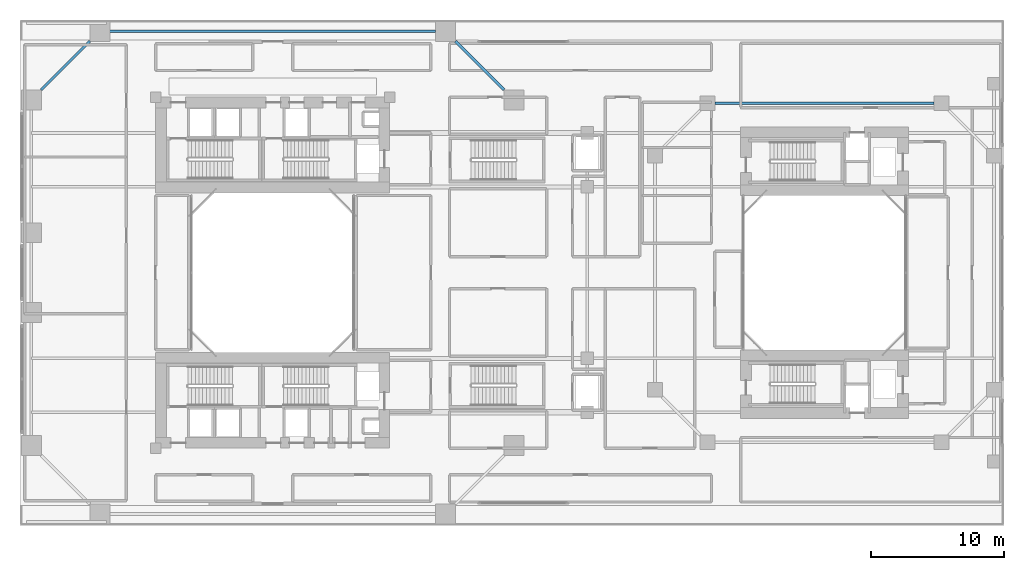
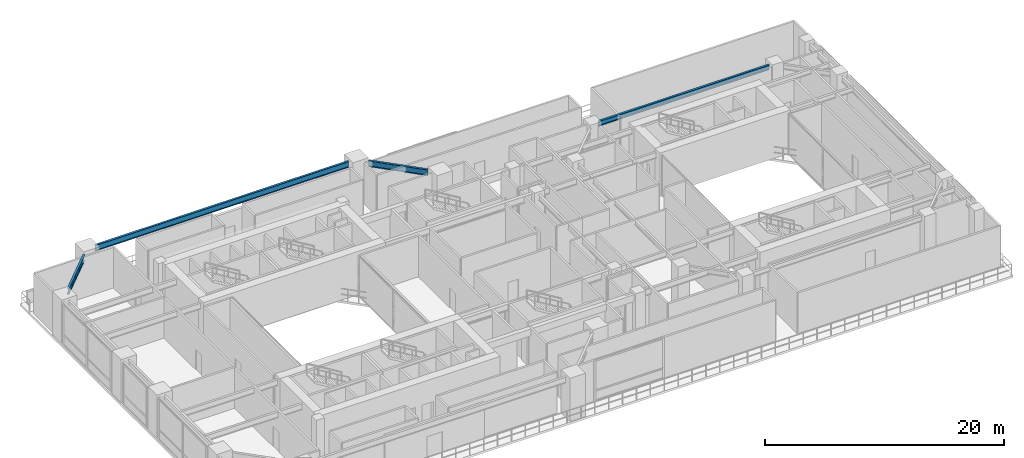
# One storey, part 7 of 20: 4 beams.
"""IFC4 building model written with IfcOpenShell, lengths in metres."""

from ifc_helpers import new_model, si_unit, direction, frame, origin, origin_2d, place, context, subcontext, project, spatial, i_section, extrude, source, transform, mapped, material, material_profile, profile_set, type_object, element, save


model = new_model("IFC4")

# Units and contexts
model_context = context("Model", 3, precision=1e-05, world=origin(), true_north=direction((0.0, 1.0)))
body_context = subcontext(model_context, "Body", "Model", "MODEL_VIEW")
ifc_project = project(units=[si_unit("LENGTHUNIT", "METRE"), si_unit("AREAUNIT", "SQUARE_METRE"), si_unit("VOLUMEUNIT", "CUBIC_METRE"), si_unit("PLANEANGLEUNIT", "RADIAN"), si_unit("MASSUNIT", "GRAM", prefix="KILO"), si_unit("THERMODYNAMICTEMPERATUREUNIT", "KELVIN"), si_unit("POWERUNIT", "WATT")], contexts=[model_context])

# Site, building, storey
site_placement = place(None, origin())
site = spatial("IfcSite", under=ifc_project, at=site_placement, CompositionType="ELEMENT")
building_placement = place(site_placement, origin())
building = spatial("IfcBuilding", under=site, at=building_placement, Name="Qiaomeng Ring Towers", CompositionType="ELEMENT")
storey_placement = place(building_placement, frame((0.0, 0.0, 13.800048828125)))
storey = spatial("IfcBuildingStorey", under=building, at=storey_placement, Name="L03", CompositionType="ELEMENT", Elevation=13.800048828125)

# Beams
ifc_material = material(Name="Steel Q355B", Category="steel")
ifc_material_profile_1 = material_profile(ifc_material, i_section(OverallWidth=0.199951171875, OverallDepth=0.60009765625, WebThickness=0.010986328125, FlangeThickness=0.01708984375, FilletRadius=0.02197265625, at=origin_2d()), Name="HN 600x200x11x17")
ifc_profile_set_1 = profile_set([ifc_material_profile_1], Name="Steel Q355B")
beam_type_1 = type_object("IfcBeamType", Name="STR-BM-HN600", PredefinedType="BEAM", material=ifc_profile_set_1)
shared_shape_1 = source(origin(), body_context, "Body", "SweptSolid", [
    extrude(i_section(OverallWidth=0.199951171875, OverallDepth=0.60009765625, WebThickness=0.010986328125, FlangeThickness=0.01708984375, FilletRadius=0.02197265625, at=origin_2d()), origin(), (0.0, 0.0, 1.0), 24.501953125),
])
beam_1_placement = place(storey_placement, frame((31.2509765625, 41.14990234375, 3.849853515625), z_axis=(-1.0, 0.0, 0.0), x_axis=(0.0, -1.0, 0.0)))
element("IfcBeam", 1, at=beam_1_placement, inside=storey, type_object=beam_type_1, Name="L03 beam STR-SP-L03-T1-4", PredefinedType="BEAM", context=body_context, shape_type="MappedRepresentation", body=[
    mapped(shared_shape_1, transform((0.0, 0.0, 0.0), x_axis=(1.0, 0.0, 0.0), y_axis=(0.0, 1.0, 0.0), z_axis=(0.0, 0.0, 1.0), scale=1.0)),
])
shared_shape_2 = source(origin(), body_context, "Body", "SweptSolid", [
    extrude(i_section(OverallWidth=0.199951171875, OverallDepth=0.60009765625, WebThickness=0.010986328125, FlangeThickness=0.01708984375, FilletRadius=0.02197265625, at=origin_2d()), origin(), (0.0, 0.0, 1.0), 5.163818359375),
])
for number, where, z_axis, x_axis, name in (
    (2, (36.400634765625, 36.749267578125, 3.849853515625), (-0.707106781187, 0.707106781187, 0.0), (-0.707106781187, -0.707106781187, 0.0), "L03 beam STR-SP-L03-T1-3"),
    (3, (5.250732421875, 40.400634765625, 3.849853515625), (-0.707106781187, -0.707106781187, 0.0), (0.707106781187, -0.707106781187, 0.0), "L03 beam STR-SP-L03-T1-5"),
):
    element("IfcBeam", number, at=place(storey_placement, frame(where, z_axis=z_axis, x_axis=x_axis)), inside=storey, type_object=beam_type_1, Name=name, PredefinedType="BEAM", context=body_context, shape_type="MappedRepresentation", body=[
        mapped(shared_shape_2, transform((0.0, 0.0, 0.0), x_axis=(1.0, 0.0, 0.0), y_axis=(0.0, 1.0, 0.0), z_axis=(0.0, 0.0, 1.0), scale=1.0)),
    ])
ifc_material_profile_2 = material_profile(ifc_material, i_section(OverallWidth=0.199951171875, OverallDepth=0.5, WebThickness=0.010009765625, FlangeThickness=0.01611328125, FilletRadius=0.02001953125, at=origin_2d()), Name="HN 500x200x10x16")
ifc_profile_set_2 = profile_set([ifc_material_profile_2], Name="Steel Q355B")
beam_type_2 = type_object("IfcBeamType", Name="STR-BM-HN500", PredefinedType="BEAM", material=ifc_profile_set_2)
shared_shape_3 = source(origin(), body_context, "Body", "SweptSolid", [
    extrude(i_section(OverallWidth=0.199951171875, OverallDepth=0.5, WebThickness=0.010009765625, FlangeThickness=0.01611328125, FilletRadius=0.02001953125, at=origin_2d()), origin(), (0.0, 0.0, 1.0), 16.501953125),
])
beam_2_placement = place(storey_placement, frame((68.7509765625, 35.75, 3.89990234375), z_axis=(-1.0, 0.0, 0.0), x_axis=(0.0, -1.0, 0.0)))
element("IfcBeam", 4, at=beam_2_placement, inside=storey, type_object=beam_type_2, Name="L03 beam STR-SP-L03-T2-5", PredefinedType="BEAM", context=body_context, shape_type="MappedRepresentation", body=[
    mapped(shared_shape_3, transform((0.0, 0.0, 0.0), x_axis=(1.0, 0.0, 0.0), y_axis=(0.0, 1.0, 0.0), z_axis=(0.0, 0.0, 1.0), scale=1.0)),
])

save(model, "model.ifc")
